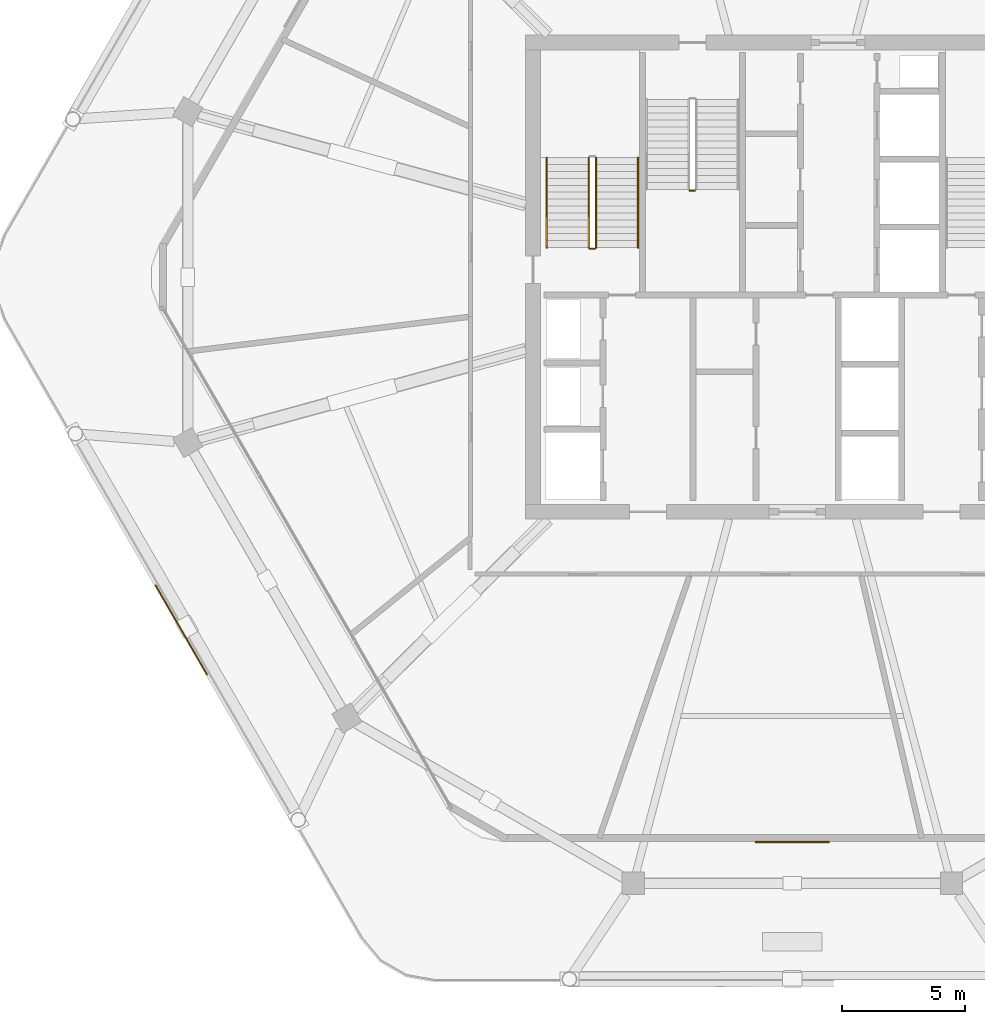
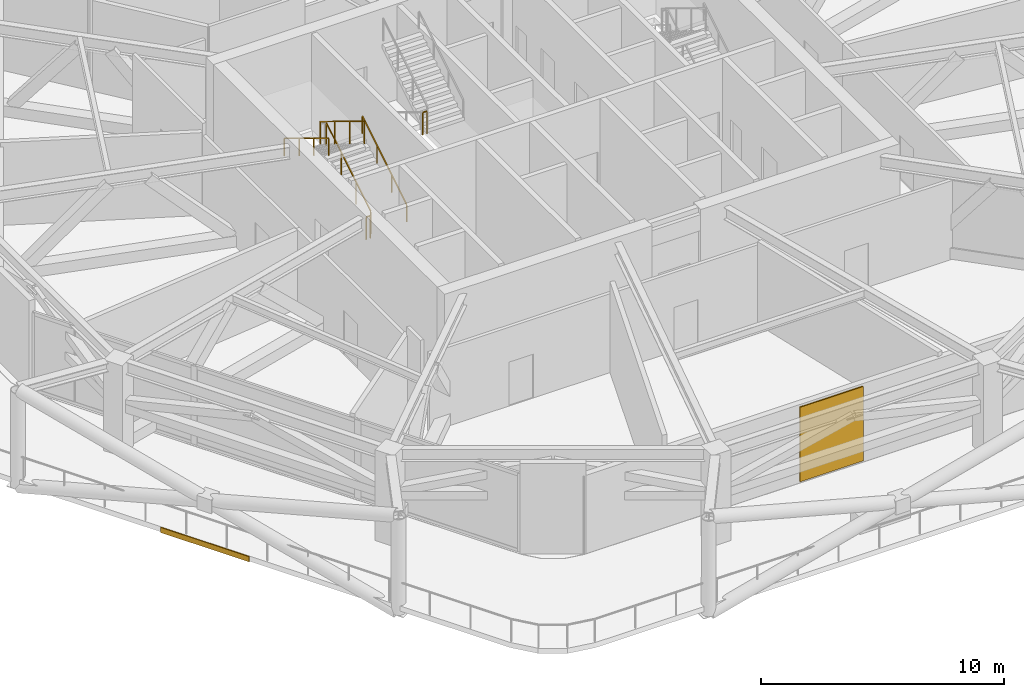
# One storey, part 16 of 20: 6 railings, 1 covering, 1 shading device.
"""IFC4 building model written with IfcOpenShell, lengths in metres."""

from ifc_helpers import new_model, si_unit, direction, frame, origin, origin_2d, place, context, subcontext, project, spatial, rectangle, extrude, material, layer, layer_set, type_object, element, save


model = new_model("IFC4")

# Units and contexts
model_context = context("Model", 3, precision=1e-05, world=origin(), true_north=direction((0.0, 1.0)))
body_context = subcontext(model_context, "Body", "Model", "MODEL_VIEW")
ifc_project = project(units=[si_unit("LENGTHUNIT", "METRE"), si_unit("AREAUNIT", "SQUARE_METRE"), si_unit("VOLUMEUNIT", "CUBIC_METRE"), si_unit("PLANEANGLEUNIT", "RADIAN"), si_unit("MASSUNIT", "GRAM", prefix="KILO")], contexts=[model_context])

# Site, building, storey
site_placement = place(None, origin())
site = spatial("IfcSite", under=ifc_project, at=site_placement, CompositionType="ELEMENT")
building_placement = place(site_placement, origin())
building = spatial("IfcBuilding", under=site, at=building_placement, Name="Zuhravey Tower", CompositionType="ELEMENT")
storey_placement = place(building_placement, frame((0.0, 0.0, 226.39990234375)))
storey = spatial("IfcBuildingStorey", under=building, at=storey_placement, Name="L57", CompositionType="ELEMENT", Elevation=226.39990234375)

# Shading device
ifc_material_1 = material(Name="Bronze-anodised perforated aluminium", Category="aluminium")
ifc_layer_1 = layer(ifc_material_1, 0.06005859375)
ifc_layer_set_1 = layer_set([ifc_layer_1], Name="Bronze-anodised perforated aluminium")
shading_device_type = type_object("IfcShadingDeviceType", Name="Girih Mashrabiya Solar Screen", PredefinedType="USERDEFINED", material=ifc_layer_set_1)
shading_device_placement = place(storey_placement, frame((36.0, 9.116455078125, 0.10009765625), z_axis=(0.0, 0.0, 1.0), x_axis=(-1.0, 0.0, 0.0)))
element("IfcShadingDevice", 1, at=shading_device_placement, inside=storey, type_object=shading_device_type, Name="L57 Face 5 Girih Solar Screen SCR1", ObjectType="SCREEN", PredefinedType="USERDEFINED", context=body_context, shape_type="SweptSolid", body=[
    extrude(rectangle(XDim=3.0, YDim=0.06005859375, at=origin_2d()), origin(), (0.0, 0.0, 1.0), 3.72998046875),
])

# Covering
ifc_material_2 = material(Name="Architectural GRC cladding panel")
ifc_layer_2 = layer(ifc_material_2, 0.048095703125)
ifc_layer_set_2 = layer_set([ifc_layer_2], Name="Architectural GRC cladding panel")
covering_type = type_object("IfcCoveringType", Name="Precast Girih Spandrel Cladding CLD2", PredefinedType="CLADDING", material=ifc_layer_set_2)
covering_placement = place(storey_placement, frame((11.2509765625, 17.711181640625, -0.259765625), z_axis=(0.0, 0.0, 1.0), x_axis=(-0.5, 0.866025403784, 0.0)))
element("IfcCovering", 2, at=covering_placement, inside=storey, type_object=covering_type, Name="L57 Face 4 Girih Spandrel Cladding CLD2", PredefinedType="CLADDING", context=body_context, shape_type="SweptSolid", body=[
    extrude(rectangle(XDim=4.199951171875, YDim=0.048095703125, at=origin_2d()), origin(), (0.0, 0.0, 1.0), 0.260009765625),
])

# Railings
ifc_material_3 = material(Name="Brushed stainless steel", Category="steel")
railing_type_1 = type_object("IfcRailingType", Name="Stair Wall Handrail 900", PredefinedType="HANDRAIL", material=ifc_material_3)
railing_1_placement = place(storey_placement, frame((29.75, 33.199951171875, 0.171630859375)))
element("IfcRailing", 3, at=railing_1_placement, inside=storey, type_object=railing_type_1, Name="L57 ST1 stair handrail 1", PredefinedType="HANDRAIL", context=body_context, shape_type="SweptSolid", body=[
    extrude(rectangle(XDim=0.048095703125, YDim=0.048095703125, at=origin_2d()), frame((0.0, 0.001708984375, 0.876953125), z_axis=(0.0, 0.852865859571, 0.52213008492), x_axis=(-1.0, 0.0, 0.0)), (0.0, 0.0, 1.0), 4.26416015625),
    extrude(rectangle(XDim=0.0419921875, YDim=0.0419921875, at=origin_2d()), origin(), (0.0, 0.0, 1.0), 0.849853515625),
    extrude(rectangle(XDim=0.0419921875, YDim=0.0419921875, at=origin_2d()), frame((0.0, 1.21337890625, 0.742919921875)), (0.0, 0.0, 1.0), 0.849853515625),
    extrude(rectangle(XDim=0.0419921875, YDim=0.0419921875, at=origin_2d()), frame((0.0, 2.4267578125, 1.485595703125)), (0.0, 0.0, 1.0), 0.849853515625),
    extrude(rectangle(XDim=0.0419921875, YDim=0.0419921875, at=origin_2d()), frame((0.0, 3.64013671875, 2.228515625)), (0.0, 0.0, 1.0), 0.849853515625),
])
railing_2_placement = place(storey_placement, frame((26.050048828125, 36.840087890625, 2.571533203125)))
element("IfcRailing", 4, at=railing_2_placement, inside=storey, type_object=railing_type_1, Name="L57 ST1 stair handrail 2", PredefinedType="HANDRAIL", context=body_context, shape_type="SweptSolid", body=[
    extrude(rectangle(XDim=0.048095703125, YDim=0.048095703125, at=origin_2d()), frame((0.0, -0.001708984375, 0.876953125), z_axis=(0.0, -0.852865859571, 0.52213008492), x_axis=(1.0, 0.0, 0.0)), (0.0, 0.0, 1.0), 4.26416015625),
    extrude(rectangle(XDim=0.0419921875, YDim=0.0419921875, at=origin_2d()), origin(), (0.0, 0.0, 1.0), 0.849853515625),
    extrude(rectangle(XDim=0.0419921875, YDim=0.0419921875, at=origin_2d()), frame((0.0, -1.21337890625, 0.742919921875)), (0.0, 0.0, 1.0), 0.849853515625),
    extrude(rectangle(XDim=0.0419921875, YDim=0.0419921875, at=origin_2d()), frame((0.0, -2.4267578125, 1.485595703125)), (0.0, 0.0, 1.0), 0.849853515625),
    extrude(rectangle(XDim=0.0419921875, YDim=0.0419921875, at=origin_2d()), frame((0.0, -3.64013671875, 2.228515625)), (0.0, 0.0, 1.0), 0.849853515625),
])
ifc_material_4 = material(Name="Painted tubular steel", Category="steel")
railing_type_2 = type_object("IfcRailingType", Name="Stair Well Guardrail 1150", PredefinedType="GUARDRAIL", material=ifc_material_4)
railing_3_placement = place(storey_placement, frame((28.050048828125, 33.199951171875, 0.171630859375)))
element("IfcRailing", 5, at=railing_3_placement, inside=storey, type_object=railing_type_2, Name="L57 ST1 stair guard 1", PredefinedType="GUARDRAIL", context=body_context, shape_type="SweptSolid", body=[
    extrude(rectangle(XDim=0.048095703125, YDim=0.048095703125, at=origin_2d()), frame((0.0, 0.001708984375, 1.126953125), z_axis=(0.0, 0.852865859571, 0.52213008492), x_axis=(-1.0, 0.0, 0.0)), (0.0, 0.0, 1.0), 4.26416015625),
    extrude(rectangle(XDim=0.0419921875, YDim=0.0419921875, at=origin_2d()), origin(), (0.0, 0.0, 1.0), 1.099853515625),
    extrude(rectangle(XDim=0.0419921875, YDim=0.0419921875, at=origin_2d()), frame((0.0, 1.21337890625, 0.742919921875)), (0.0, 0.0, 1.0), 1.099853515625),
    extrude(rectangle(XDim=0.0419921875, YDim=0.0419921875, at=origin_2d()), frame((0.0, 2.4267578125, 1.485595703125)), (0.0, 0.0, 1.0), 1.099853515625),
    extrude(rectangle(XDim=0.0419921875, YDim=0.0419921875, at=origin_2d()), frame((0.0, 3.64013671875, 2.228515625)), (0.0, 0.0, 1.0), 1.099853515625),
])
railing_4_placement = place(storey_placement, frame((27.75, 36.840087890625, 2.571533203125)))
element("IfcRailing", 6, at=railing_4_placement, inside=storey, type_object=railing_type_2, Name="L57 ST1 stair guard 3", PredefinedType="GUARDRAIL", context=body_context, shape_type="SweptSolid", body=[
    extrude(rectangle(XDim=0.048095703125, YDim=0.048095703125, at=origin_2d()), frame((0.0, -0.001708984375, 1.126953125), z_axis=(0.0, -0.852865859571, 0.52213008492), x_axis=(1.0, 0.0, 0.0)), (0.0, 0.0, 1.0), 4.26416015625),
    extrude(rectangle(XDim=0.0419921875, YDim=0.0419921875, at=origin_2d()), origin(), (0.0, 0.0, 1.0), 1.099853515625),
    extrude(rectangle(XDim=0.0419921875, YDim=0.0419921875, at=origin_2d()), frame((0.0, -1.21337890625, 0.742919921875)), (0.0, 0.0, 1.0), 1.099853515625),
    extrude(rectangle(XDim=0.0419921875, YDim=0.0419921875, at=origin_2d()), frame((0.0, -2.4267578125, 1.485595703125)), (0.0, 0.0, 1.0), 1.099853515625),
    extrude(rectangle(XDim=0.0419921875, YDim=0.0419921875, at=origin_2d()), frame((0.0, -3.64013671875, 2.228515625)), (0.0, 0.0, 1.0), 1.099853515625),
])
railing_5_placement = place(storey_placement, frame((28.0, 33.14990234375, 0.0)))
element("IfcRailing", 7, at=railing_5_placement, inside=storey, type_object=railing_type_2, Name="L57 ST1 stair guard 4", PredefinedType="GUARDRAIL", context=body_context, shape_type="SweptSolid", body=[
    extrude(rectangle(XDim=0.048095703125, YDim=0.048095703125, at=origin_2d()), frame((-0.001953125, 0.0, 1.1259765625), z_axis=(-1.0, 0.0, 0.0), x_axis=(0.0, -1.0, 0.0)), (0.0, 0.0, 1.0), 0.196044921875),
    extrude(rectangle(XDim=0.0419921875, YDim=0.0419921875, at=origin_2d()), origin(), (0.0, 0.0, 1.0), 1.099853515625),
    extrude(rectangle(XDim=0.0419921875, YDim=0.0419921875, at=origin_2d()), frame((-0.199951171875, 0.0, 0.0)), (0.0, 0.0, 1.0), 1.099853515625),
])
railing_6_placement = place(storey_placement, frame((31.85009765625, 35.510009765625, 2.400146484375)))
element("IfcRailing", 8, at=railing_6_placement, inside=storey, type_object=railing_type_2, Name="L57 ST3 stair guard 2", PredefinedType="GUARDRAIL", context=body_context, shape_type="SweptSolid", body=[
    extrude(rectangle(XDim=0.048095703125, YDim=0.048095703125, at=origin_2d()), frame((0.001953125, 0.0, 1.1259765625), z_axis=(1.0, 0.0, 0.0), x_axis=(0.0, 1.0, 0.0)), (0.0, 0.0, 1.0), 0.196044921875),
    extrude(rectangle(XDim=0.0419921875, YDim=0.0419921875, at=origin_2d()), origin(), (0.0, 0.0, 1.0), 1.099853515625),
    extrude(rectangle(XDim=0.0419921875, YDim=0.0419921875, at=origin_2d()), frame((0.199951171875, 0.0, 0.0)), (0.0, 0.0, 1.0), 1.099853515625),
])

save(model, "model.ifc")
